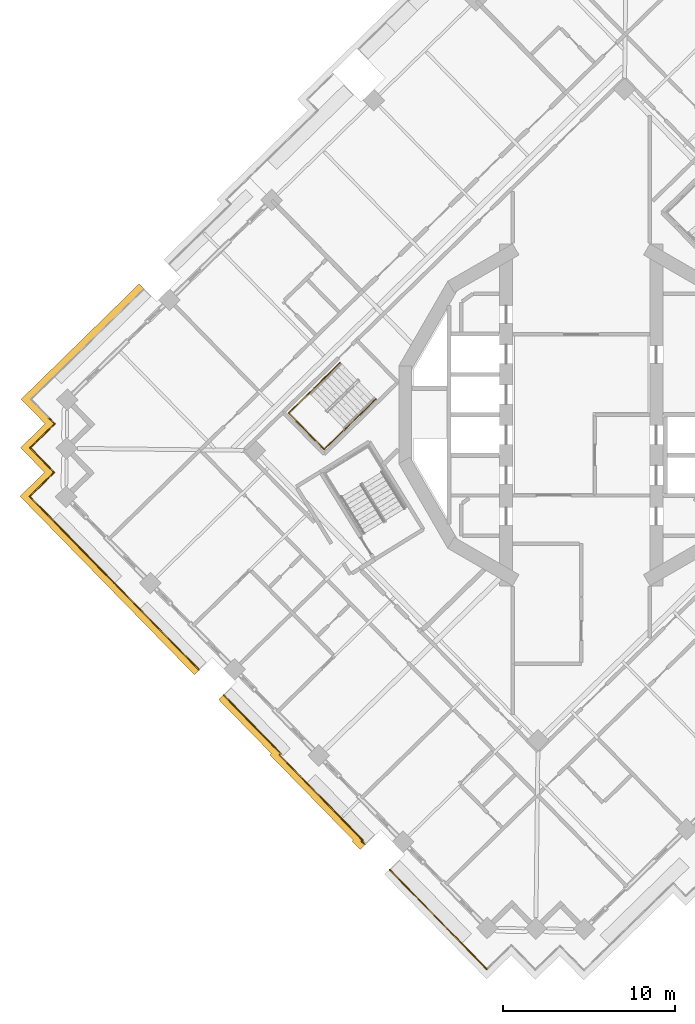
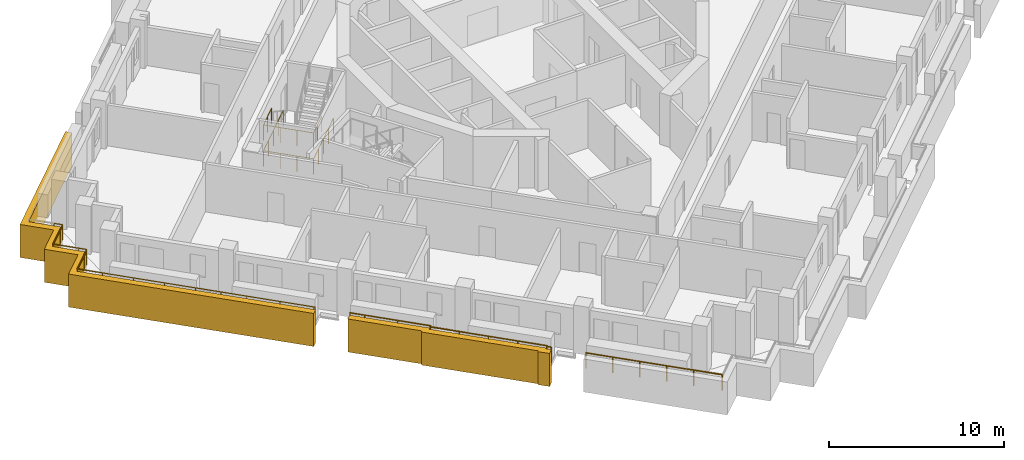
# One storey, part 13 of 19: 5 railings, 2 coverings.
"""IFC4 building model written with IfcOpenShell, lengths in metres."""

from ifc_helpers import new_model, si_unit, direction, frame, origin, origin_2d, place, context, subcontext, project, spatial, polyline, circle, outline, extrude, material, type_object, element, save


model = new_model("IFC4")

# Units and contexts
model_context = context("Model", 3, precision=1e-05, world=origin(), true_north=direction((0.0, 1.0)))
body_context = subcontext(model_context, "Body", "Model", "MODEL_VIEW")
ifc_project = project(units=[si_unit("LENGTHUNIT", "METRE"), si_unit("AREAUNIT", "SQUARE_METRE"), si_unit("VOLUMEUNIT", "CUBIC_METRE"), si_unit("PLANEANGLEUNIT", "RADIAN"), si_unit("MASSUNIT", "GRAM", prefix="KILO")], contexts=[model_context])

# Site, building, storey
site_placement = place(None, origin())
site = spatial("IfcSite", under=ifc_project, at=site_placement, CompositionType="ELEMENT")
building_placement = place(site_placement, origin())
building = spatial("IfcBuilding", under=site, at=building_placement, Name="Cantera Rosa Tower", CompositionType="ELEMENT")
storey_placement = place(building_placement, frame((0.0, 0.0, 216.199951171875)))
storey = spatial("IfcBuildingStorey", under=building, at=storey_placement, Name="L46", CompositionType="ELEMENT", Elevation=216.199951171875)

# Railings
ifc_material_1 = material(Name="Stainless steel and laminated glass", Category="steel")
railing_type_1 = type_object("IfcRailingType", Name="GUARD 1100", PredefinedType="BALUSTRADE", material=ifc_material_1)
railing_1_placement = place(storey_placement, frame((-12.595703125, -25.028076171875, 0.0)))
element("IfcRailing", 1, at=railing_1_placement, inside=storey, type_object=railing_type_1, Name="GUARD L46-1", PredefinedType="BALUSTRADE", context=body_context, shape_type="SweptSolid", body=[
    extrude(circle(Radius=0.030029296875, at=origin_2d()), frame((0.0, 0.0, 1.070068359375), z_axis=(-0.698922436913, 0.715197474254, 0.0), x_axis=(-0.715197474254, -0.698922436913, 0.0)), (0.0, 0.0, 1.0), 0.27001953125),
    extrude(circle(Radius=0.030029296875, at=origin_2d()), frame((-0.188720703125, 0.193115234375, 1.070068359375), z_axis=(0.715817567127, 0.698287340994, 0.0), x_axis=(-0.698287340994, 0.715817567127, 0.0)), (0.0, 0.0, 1.0), 0.08349609375),
    extrude(circle(Radius=0.030029296875, at=origin_2d()), frame((-0.12890625, 0.25146484375, 1.070068359375), z_axis=(-0.698822463092, 0.715295159412, 0.0), x_axis=(-0.715295159412, -0.698822463092, 0.0)), (0.0, 0.0, 1.0), 6.936279296875),
    extrude(circle(Radius=0.030029296875, at=origin_2d()), frame((-4.97607421875, 5.212890625, 1.070068359375), z_axis=(0.715449344279, 0.698664608929, 0.0), x_axis=(-0.698664608929, 0.715449344279, 0.0)), (0.0, 0.0, 1.0), 0.116455078125),
    extrude(circle(Radius=0.030029296875, at=origin_2d()), frame((-4.892822265625, 5.294189453125, 1.070068359375), z_axis=(-0.698866787925, 0.715251852662, 0.0), x_axis=(-0.715251852662, -0.698866787925, 0.0)), (0.0, 0.0, 1.0), 3.90380859375),
    extrude(circle(Radius=0.030029296875, at=origin_2d()), frame((-7.62109375, 8.08642578125, 1.070068359375), z_axis=(-0.698779602308, 0.715337030636, 0.0), x_axis=(-0.715337030636, -0.698779602308, 0.0)), (0.0, 0.0, 1.0), 0.869873046875),
    extrude(circle(Radius=0.02490234375, at=origin_2d()), origin(), (0.0, 0.0, 1.0), 1.0400390625),
    extrude(circle(Radius=0.02490234375, at=origin_2d()), frame((-0.188720703125, 0.193115234375, 0.0)), (0.0, 0.0, 1.0), 1.0400390625),
    extrude(circle(Radius=0.02490234375, at=origin_2d()), frame((-0.12890625, 0.25146484375, 0.0)), (0.0, 0.0, 1.0), 1.0400390625),
    extrude(circle(Radius=0.02490234375, at=origin_2d()), frame((-1.3408203125, 1.49169921875, 0.0)), (0.0, 0.0, 1.0), 1.0400390625),
    extrude(circle(Radius=0.02490234375, at=origin_2d()), frame((-2.552490234375, 2.732177734375, 0.0)), (0.0, 0.0, 1.0), 1.0400390625),
    extrude(circle(Radius=0.02490234375, at=origin_2d()), frame((-3.76416015625, 3.97265625, 0.0)), (0.0, 0.0, 1.0), 1.0400390625),
    extrude(circle(Radius=0.02490234375, at=origin_2d()), frame((-4.97607421875, 5.212890625, 0.0)), (0.0, 0.0, 1.0), 1.0400390625),
    extrude(circle(Radius=0.02490234375, at=origin_2d()), frame((-4.892822265625, 5.294189453125, 0.0)), (0.0, 0.0, 1.0), 1.0400390625),
    extrude(circle(Radius=0.02490234375, at=origin_2d()), frame((-6.2568359375, 6.6904296875, 0.0)), (0.0, 0.0, 1.0), 1.0400390625),
    extrude(circle(Radius=0.02490234375, at=origin_2d()), frame((-7.62109375, 8.08642578125, 0.0)), (0.0, 0.0, 1.0), 1.0400390625),
    extrude(circle(Radius=0.02490234375, at=origin_2d()), frame((-8.22900390625, 8.708740234375, 0.0)), (0.0, 0.0, 1.0), 1.0400390625),
])
railing_2_placement = place(storey_placement, frame((-22.26416015625, -14.845703125, 0.0)))
element("IfcRailing", 2, at=railing_2_placement, inside=storey, type_object=railing_type_1, Name="GUARD L46-3", PredefinedType="BALUSTRADE", context=body_context, shape_type="SweptSolid", body=[
    extrude(circle(Radius=0.030029296875, at=origin_2d()), frame((0.0, 0.0, 1.070068359375), z_axis=(-0.700106234421, 0.714038696798, 0.0), x_axis=(-0.714038696798, -0.700106234421, 0.0)), (0.0, 0.0, 1.0), 0.070068359375),
    extrude(circle(Radius=0.030029296875, at=origin_2d()), frame((-0.049072265625, 0.050048828125, 1.070068359375), z_axis=(-0.698829866575, 0.715287926351, 0.0), x_axis=(-0.715287926351, -0.698829866575, 0.0)), (0.0, 0.0, 1.0), 4.02001953125),
    extrude(circle(Radius=0.030029296875, at=origin_2d()), frame((-2.8583984375, 2.925537109375, 1.070068359375), z_axis=(-0.698839281014, 0.715278728407, 0.0), x_axis=(-0.715278728407, -0.698839281014, 0.0)), (0.0, 0.0, 1.0), 3.0),
    extrude(circle(Radius=0.030029296875, at=origin_2d()), frame((-4.954833984375, 5.0712890625, 1.070068359375), z_axis=(-0.698810055914, 0.715307280652, 0.0), x_axis=(-0.715307280652, -0.698810055914, 0.0)), (0.0, 0.0, 1.0), 5.52001953125),
    extrude(circle(Radius=0.030029296875, at=origin_2d()), frame((-8.812255859375, 9.019775390625, 1.070068359375), z_axis=(-0.698921594874, 0.71519829713, 0.0), x_axis=(-0.71519829713, -0.698921594874, 0.0)), (0.0, 0.0, 1.0), 1.5),
    extrude(circle(Radius=0.030029296875, at=origin_2d()), frame((-9.860595703125, 10.092529296875, 1.070068359375), z_axis=(0.715277793538, 0.698840237873, 0.0), x_axis=(-0.698840237873, 0.715277793538, 0.0)), (0.0, 0.0, 1.0), 1.5),
    extrude(circle(Radius=0.030029296875, at=origin_2d()), frame((-8.78759765625, 11.140869140625, 1.070068359375), z_axis=(0.715359149995, 0.698756958118, 0.0), x_axis=(-0.698756958118, 0.715359149995, 0.0)), (0.0, 0.0, 1.0), 0.5),
    extrude(circle(Radius=0.030029296875, at=origin_2d()), frame((-8.429931640625, 11.490234375, 1.070068359375), z_axis=(-0.699006712162, 0.715115107065, 0.0), x_axis=(-0.715115107065, -0.699006712162, 0.0)), (0.0, 0.0, 1.0), 0.500244140625),
    extrude(circle(Radius=0.030029296875, at=origin_2d()), frame((-8.779541015625, 11.847900390625, 1.070068359375), z_axis=(-0.698756958118, 0.715359149995, 0.0), x_axis=(-0.715359149995, -0.698756958118, 0.0)), (0.0, 0.0, 1.0), 1.5),
    extrude(circle(Radius=0.030029296875, at=origin_2d()), frame((-9.82763671875, 12.9208984375, 1.070068359375), z_axis=(0.71519829713, 0.698921594874, 0.0), x_axis=(-0.698921594874, 0.71519829713, 0.0)), (0.0, 0.0, 1.0), 1.5),
    extrude(circle(Radius=0.030029296875, at=origin_2d()), frame((-8.7548828125, 13.96923828125, 1.070068359375), z_axis=(0.715359149995, 0.698756958118, 0.0), x_axis=(-0.698756958118, 0.715359149995, 0.0)), (0.0, 0.0, 1.0), 0.5),
    extrude(circle(Radius=0.030029296875, at=origin_2d()), frame((-8.397216796875, 14.318603515625, 1.070068359375), z_axis=(-0.698756958118, 0.715359149995, 0.0), x_axis=(-0.715359149995, -0.698756958118, 0.0)), (0.0, 0.0, 1.0), 0.5),
    extrude(circle(Radius=0.02490234375, at=origin_2d()), origin(), (0.0, 0.0, 1.0), 1.0400390625),
    extrude(circle(Radius=0.02490234375, at=origin_2d()), frame((-0.049072265625, 0.050048828125, 0.0)), (0.0, 0.0, 1.0), 1.0400390625),
    extrude(circle(Radius=0.02490234375, at=origin_2d()), frame((-1.45361328125, 1.48779296875, 0.0)), (0.0, 0.0, 1.0), 1.0400390625),
    extrude(circle(Radius=0.02490234375, at=origin_2d()), frame((-2.8583984375, 2.925537109375, 0.0)), (0.0, 0.0, 1.0), 1.0400390625),
    extrude(circle(Radius=0.02490234375, at=origin_2d()), frame((-3.90673828125, 3.99853515625, 0.0)), (0.0, 0.0, 1.0), 1.0400390625),
    extrude(circle(Radius=0.02490234375, at=origin_2d()), frame((-4.954833984375, 5.0712890625, 0.0)), (0.0, 0.0, 1.0), 1.0400390625),
    extrude(circle(Radius=0.02490234375, at=origin_2d()), frame((-6.24072265625, 6.387451171875, 0.0)), (0.0, 0.0, 1.0), 1.0400390625),
    extrude(circle(Radius=0.02490234375, at=origin_2d()), frame((-7.5263671875, 7.70361328125, 0.0)), (0.0, 0.0, 1.0), 1.0400390625),
    extrude(circle(Radius=0.02490234375, at=origin_2d()), frame((-8.812255859375, 9.019775390625, 0.0)), (0.0, 0.0, 1.0), 1.0400390625),
    extrude(circle(Radius=0.02490234375, at=origin_2d()), frame((-9.860595703125, 10.092529296875, 0.0)), (0.0, 0.0, 1.0), 1.0400390625),
    extrude(circle(Radius=0.02490234375, at=origin_2d()), frame((-8.78759765625, 11.140869140625, 0.0)), (0.0, 0.0, 1.0), 1.0400390625),
    extrude(circle(Radius=0.02490234375, at=origin_2d()), frame((-8.429931640625, 11.490234375, 0.0)), (0.0, 0.0, 1.0), 1.0400390625),
    extrude(circle(Radius=0.02490234375, at=origin_2d()), frame((-8.779541015625, 11.847900390625, 0.0)), (0.0, 0.0, 1.0), 1.0400390625),
    extrude(circle(Radius=0.02490234375, at=origin_2d()), frame((-9.82763671875, 12.9208984375, 0.0)), (0.0, 0.0, 1.0), 1.0400390625),
    extrude(circle(Radius=0.02490234375, at=origin_2d()), frame((-8.7548828125, 13.96923828125, 0.0)), (0.0, 0.0, 1.0), 1.0400390625),
    extrude(circle(Radius=0.02490234375, at=origin_2d()), frame((-8.397216796875, 14.318603515625, 0.0)), (0.0, 0.0, 1.0), 1.0400390625),
    extrude(circle(Radius=0.02490234375, at=origin_2d()), frame((-8.74658203125, 14.67626953125, 0.0)), (0.0, 0.0, 1.0), 1.0400390625),
])
railing_3_placement = place(storey_placement, frame((-5.502685546875, -32.288330078125, 0.0)))
element("IfcRailing", 3, at=railing_3_placement, inside=storey, type_object=railing_type_1, Name="GUARD L46-6", PredefinedType="BALUSTRADE", context=body_context, shape_type="SweptSolid", body=[
    extrude(circle(Radius=0.030029296875, at=origin_2d()), frame((0.0, 0.0, 1.070068359375), z_axis=(-0.69880105094, 0.715316077832, 0.0), x_axis=(-0.715316077832, -0.69880105094, 0.0)), (0.0, 0.0, 1.0), 1.699951171875),
    extrude(circle(Radius=0.030029296875, at=origin_2d()), frame((-1.18798828125, 1.216064453125, 1.070068359375), z_axis=(-0.698825008445, 0.715292672668, 0.0), x_axis=(-0.715292672668, -0.698825008445, 0.0)), (0.0, 0.0, 1.0), 6.389892578125),
    extrude(circle(Radius=0.02490234375, at=origin_2d()), origin(), (0.0, 0.0, 1.0), 1.0400390625),
    extrude(circle(Radius=0.02490234375, at=origin_2d()), frame((-1.18798828125, 1.216064453125, 0.0)), (0.0, 0.0, 1.0), 1.0400390625),
    extrude(circle(Radius=0.02490234375, at=origin_2d()), frame((-2.30419921875, 2.358642578125, 0.0)), (0.0, 0.0, 1.0), 1.0400390625),
    extrude(circle(Radius=0.02490234375, at=origin_2d()), frame((-3.420654296875, 3.50146484375, 0.0)), (0.0, 0.0, 1.0), 1.0400390625),
    extrude(circle(Radius=0.02490234375, at=origin_2d()), frame((-4.537109375, 4.64404296875, 0.0)), (0.0, 0.0, 1.0), 1.0400390625),
    extrude(circle(Radius=0.02490234375, at=origin_2d()), frame((-5.6533203125, 5.78662109375, 0.0)), (0.0, 0.0, 1.0), 1.0400390625),
])
ifc_material_2 = material(Name="Steel S355J2 (EN 10025-2)", Category="steel")
railing_type_2 = type_object("IfcRailingType", Name="STAIR GUARD 1100", PredefinedType="GUARDRAIL", material=ifc_material_2)
railing_4_placement = place(storey_placement, frame((-14.044921875, 3.0322265625, 0.0)))
element("IfcRailing", 4, at=railing_4_placement, inside=storey, type_object=railing_type_2, Name="L46 ST-43 stair guard 4", PredefinedType="GUARDRAIL", context=body_context, shape_type="SweptSolid", body=[
    extrude(circle(Radius=0.02392578125, at=origin_2d()), frame((0.0, 0.0, 1.076171875), z_axis=(-0.715259213566, -0.698859254364, 0.0), x_axis=(0.698859254364, -0.715259213566, 0.0)), (0.0, 0.0, 1.0), 4.197998046875),
    extrude(circle(Radius=0.02392578125, at=origin_2d()), frame((-3.002685546875, -2.933837890625, 1.076171875), z_axis=(0.698838333505, -0.715279654138, 0.0), x_axis=(0.715279654138, 0.698838333505, 0.0)), (0.0, 0.0, 1.0), 2.9697265625),
    extrude(circle(Radius=0.02392578125, at=origin_2d()), frame((-0.92724609375, -5.05810546875, 1.076171875), z_axis=(0.715288284249, 0.698829500247, 0.0), x_axis=(-0.698829500247, 0.715288284249, 0.0)), (0.0, 0.0, 1.0), 4.19775390625),
    extrude(circle(Radius=0.02099609375, at=origin_2d()), origin(), (0.0, 0.0, 1.0), 1.052001953125),
    extrude(circle(Radius=0.02099609375, at=origin_2d()), frame((-0.750732421875, -0.7333984375, 0.0)), (0.0, 0.0, 1.0), 1.052001953125),
    extrude(circle(Radius=0.02099609375, at=origin_2d()), frame((-1.50146484375, -1.466796875, 0.0)), (0.0, 0.0, 1.0), 1.052001953125),
    extrude(circle(Radius=0.02099609375, at=origin_2d()), frame((-2.251953125, -2.200439453125, 0.0)), (0.0, 0.0, 1.0), 1.052001953125),
    extrude(circle(Radius=0.02099609375, at=origin_2d()), frame((-3.002685546875, -2.933837890625, 0.0)), (0.0, 0.0, 1.0), 1.052001953125),
    extrude(circle(Radius=0.02099609375, at=origin_2d()), frame((-2.310791015625, -3.641845703125, 0.0)), (0.0, 0.0, 1.0), 1.052001953125),
    extrude(circle(Radius=0.02099609375, at=origin_2d()), frame((-1.619140625, -4.35009765625, 0.0)), (0.0, 0.0, 1.0), 1.052001953125),
    extrude(circle(Radius=0.02099609375, at=origin_2d()), frame((-0.92724609375, -5.05810546875, 0.0)), (0.0, 0.0, 1.0), 1.052001953125),
    extrude(circle(Radius=0.02099609375, at=origin_2d()), frame((-0.176513671875, -4.32470703125, 0.0)), (0.0, 0.0, 1.0), 1.052001953125),
    extrude(circle(Radius=0.02099609375, at=origin_2d()), frame((0.57421875, -3.59130859375, 0.0)), (0.0, 0.0, 1.0), 1.052001953125),
    extrude(circle(Radius=0.02099609375, at=origin_2d()), frame((1.32470703125, -2.85791015625, 0.0)), (0.0, 0.0, 1.0), 1.052001953125),
    extrude(circle(Radius=0.02099609375, at=origin_2d()), frame((2.075439453125, -2.12451171875, 0.0)), (0.0, 0.0, 1.0), 1.052001953125),
])
railing_5_placement = place(storey_placement, frame((-15.830322265625, 1.287841796875, 1.800048828125)))
element("IfcRailing", 5, at=railing_5_placement, inside=storey, type_object=railing_type_2, Name="L46 ST-43 stair guard 5", PredefinedType="GUARDRAIL", context=body_context, shape_type="SweptSolid", body=[
    extrude(circle(Radius=0.02392578125, at=origin_2d()), frame((0.0, 0.0, 1.076171875), z_axis=(-0.715236090757, -0.698882919007, 0.0), x_axis=(0.698882919007, -0.715236090757, 0.0)), (0.0, 0.0, 1.0), 1.701904296875),
    extrude(circle(Radius=0.02392578125, at=origin_2d()), frame((-1.21728515625, -1.189453125, 1.076171875), z_axis=(0.698838333505, -0.715279654138, 0.0), x_axis=(0.715279654138, 0.698838333505, 0.0)), (0.0, 0.0, 1.0), 2.9697265625),
    extrude(circle(Radius=0.02392578125, at=origin_2d()), frame((0.858154296875, -3.313720703125, 1.076171875), z_axis=(0.715236090757, 0.698882919007, 0.0), x_axis=(-0.698882919007, 0.715236090757, 0.0)), (0.0, 0.0, 1.0), 1.701904296875),
    extrude(circle(Radius=0.02099609375, at=origin_2d()), origin(), (0.0, 0.0, 1.0), 1.052001953125),
    extrude(circle(Radius=0.02099609375, at=origin_2d()), frame((-0.608642578125, -0.5947265625, 0.0)), (0.0, 0.0, 1.0), 1.052001953125),
    extrude(circle(Radius=0.02099609375, at=origin_2d()), frame((-1.21728515625, -1.189453125, 0.0)), (0.0, 0.0, 1.0), 1.052001953125),
    extrude(circle(Radius=0.02099609375, at=origin_2d()), frame((-0.525390625, -1.8974609375, 0.0)), (0.0, 0.0, 1.0), 1.052001953125),
    extrude(circle(Radius=0.02099609375, at=origin_2d()), frame((0.166259765625, -2.605712890625, 0.0)), (0.0, 0.0, 1.0), 1.052001953125),
    extrude(circle(Radius=0.02099609375, at=origin_2d()), frame((0.858154296875, -3.313720703125, 0.0)), (0.0, 0.0, 1.0), 1.052001953125),
    extrude(circle(Radius=0.02099609375, at=origin_2d()), frame((1.466796875, -2.718994140625, 0.0)), (0.0, 0.0, 1.0), 1.052001953125),
    extrude(circle(Radius=0.02099609375, at=origin_2d()), frame((2.075439453125, -2.124267578125, 0.0)), (0.0, 0.0, 1.0), 1.052001953125),
])

# Coverings
ifc_material_3 = material(Name="Cantera stone", Category="masonry")
covering_type = type_object("IfcCoveringType", Name="TRAY FASCIA 400", PredefinedType="CLADDING", material=ifc_material_3)
covering_1_placement = place(storey_placement, frame((0.0, 0.0, -1.39990234375)))
element("IfcCovering", 6, at=covering_1_placement, inside=storey, type_object=covering_type, Name="TRAY FASCIA L46-01", PredefinedType="CLADDING", context=body_context, shape_type="SweptSolid", body=[
    extrude(outline(polyline([(-22.599365234375, -15.0751953125), (-25.40869140625, -12.19970703125), (-27.505126953125, -10.053955078125), (-31.362548828125, -6.10546875), (-32.6904296875, -4.74658203125), (-31.331298828125, -3.418701171875), (-31.259765625, -3.348876953125), (-31.329833984375, -3.27734375), (-32.657470703125, -1.918212890625), (-31.298583984375, -0.590576171875), (-31.22705078125, -0.5205078125), (-32.62451171875, 0.909912109375), (-31.265625, 2.23779296875), (-26.38720703125, 7.00390625), (-25.750732421875, 7.625732421875), (-25.47119140625, 7.339599609375), (-26.107666015625, 6.7177734375), (-30.986083984375, 1.95166015625), (-32.058837890625, 0.9033203125), (-31.0107421875, -0.16943359375), (-30.661376953125, -0.527099609375), (-31.01904296875, -0.87646484375), (-32.091796875, -1.9248046875), (-31.043701171875, -2.997802734375), (-30.694091796875, -3.35546875), (-31.0517578125, -3.704833984375), (-32.124755859375, -4.753173828125), (-31.076416015625, -5.825927734375), (-27.218994140625, -9.7744140625), (-25.12255859375, -11.920166015625), (-22.313232421875, -14.795654296875), (-22.250244140625, -14.860107421875), (-22.536376953125, -15.1396484375), (-22.599365234375, -15.0751953125)])), origin(), (0.0, 0.0, 1.0), 2.300048828125),
])
covering_2_placement = place(storey_placement, frame((0.0, 0.0, -1.39990234375)))
element("IfcCovering", 7, at=covering_2_placement, inside=storey, type_object=covering_type, Name="TRAY FASCIA L46-02", PredefinedType="CLADDING", context=body_context, shape_type="SweptSolid", body=[
    extrude(outline(polyline([(-13.35009765625, -24.828369140625), (-13.2900390625, -24.77001953125), (-18.137451171875, -19.80859375), (-18.05419921875, -19.727294921875), (-20.502685546875, -17.22119140625), (-21.124755859375, -16.58447265625), (-20.838623046875, -16.304931640625), (-20.216796875, -16.941650390625), (-17.488525390625, -19.73388671875), (-17.57177734375, -19.815185546875), (-12.724609375, -24.776611328125), (-12.784423828125, -24.8349609375), (-12.581787109375, -25.04248046875), (-12.867919921875, -25.322021484375), (-13.35009765625, -24.828369140625)])), origin(), (0.0, 0.0, 1.0), 2.300048828125),
])

save(model, "model.ifc")
